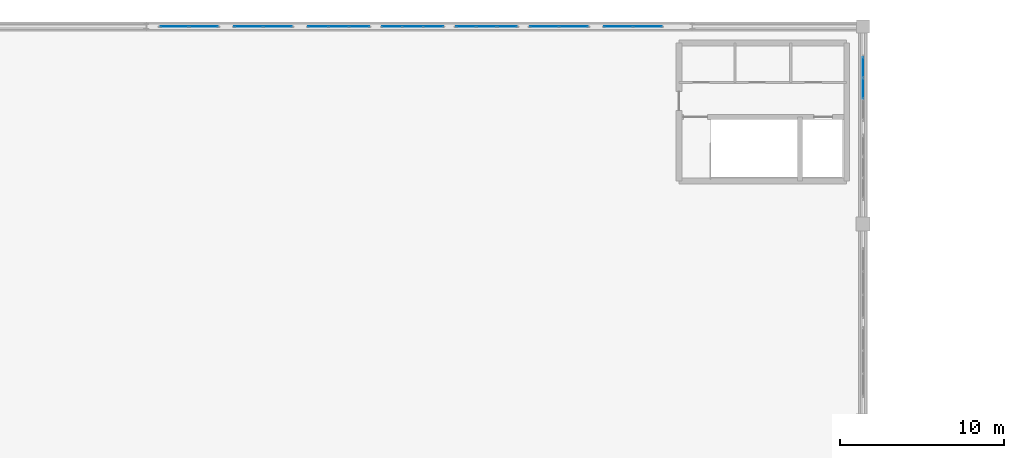
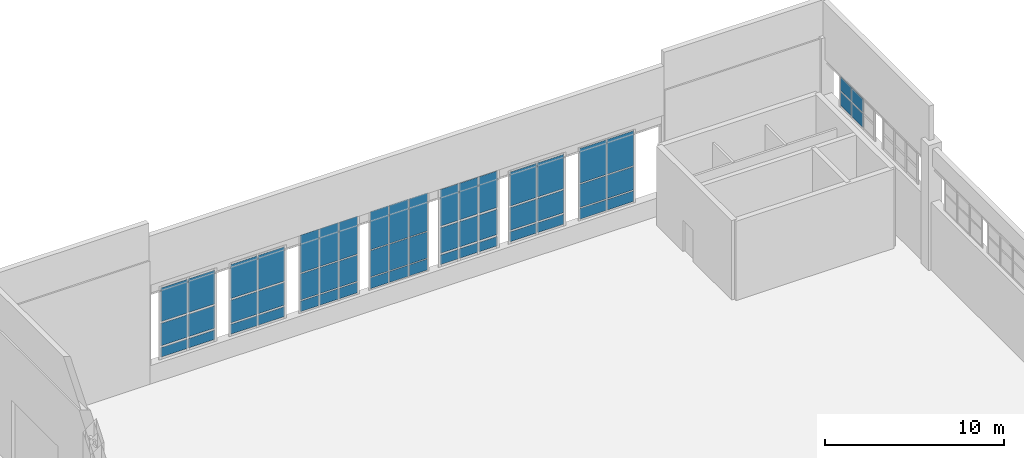
# One storey, part 76 of 97: 55 plates, 8 elements without a shape of their own.
"""IFC4 building model written with IfcOpenShell, lengths in metres."""

import ifcopenshell
import ifcopenshell.guid

model = None  # the IFC model being written
_history = None  # IfcOwnerHistory: only IFC2X3 demands one
_inside = {}  # id of a spatial element -> (the spatial element, [elements in it])
_under = {}  # id of a project, library or spatial element -> (it, [spatial elements below it])
_declared = {}  # id of a project -> (the project, [libraries it declares])
_typed = {}  # id of a type object -> (the type object, [elements of that type])
_made_of = {}  # id of a material, layer set ... -> (it, [elements and type objects made of it])


def new_model(schema):
    """Start an empty IFC model of exactly this schema.

    Asked for "IFC4X3", IfcOpenShell would pick the latest addendum, in which some entities
    have other attributes; the version numbers below select the first issue.
    IFC2X3 requires an IfcOwnerHistory on every rooted entity: one is made here for all.
    """
    global model, _history
    if schema == "IFC4X3":
        model = ifcopenshell.file(schema_version=(4, 3, 0, 0))
    else:
        model = ifcopenshell.file(schema=schema)
    _inside.clear()
    _under.clear()
    _declared.clear()
    _typed.clear()
    _made_of.clear()
    _history = None
    if model.schema == "IFC2X3":
        org = make("IfcOrganization", Name="unknown")
        user = make(
            "IfcPersonAndOrganization",
            ThePerson=make("IfcPerson", FamilyName="unknown"),
            TheOrganization=org,
        )
        app = make(
            "IfcApplication",
            ApplicationDeveloper=org,
            Version="unknown",
            ApplicationFullName="unknown",
            ApplicationIdentifier="unknown",
        )
        _history = make(
            "IfcOwnerHistory",
            OwningUser=user,
            OwningApplication=app,
            ChangeAction="ADDED",
            CreationDate=0,
        )
    return model


def make(cls, **values):
    """One entity of the class cls with the attributes given. An attribute that is None is left unset."""
    return model.create_entity(
        cls, **{name: value for name, value in values.items() if value is not None}
    )


def rooted(cls, **values):
    """An entity with a GlobalId (a new one), such as an element, a storey or a relation."""
    return make(cls, GlobalId=ifcopenshell.guid.new(), OwnerHistory=_history, **values)


def si_unit(unit_type, name, prefix=None):
    """IfcSIUnit, for example si_unit("LENGTHUNIT", "METRE", prefix="MILLI")."""
    return make("IfcSIUnit", UnitType=unit_type, Prefix=prefix, Name=name)


def derived_unit(unit_type, elements):
    """IfcDerivedUnit: a product of units, each with its exponent."""
    return make(
        "IfcDerivedUnit",
        Elements=[
            make("IfcDerivedUnitElement", Unit=unit, Exponent=power)
            for unit, power in elements
        ],
        UnitType=unit_type,
    )


def assignment(units):
    """IfcUnitAssignment: the units of a project."""
    return None if units is None else make("IfcUnitAssignment", Units=units)


def point(xyz):
    """IfcCartesianPoint."""
    return None if xyz is None else make("IfcCartesianPoint", Coordinates=xyz)


def direction(xyz):
    """IfcDirection."""
    return None if xyz is None else make("IfcDirection", DirectionRatios=xyz)


def frame(location, z_axis=None, x_axis=None):
    """IfcAxis2Placement3D, a coordinate frame: its origin and axes. An axis left out is left unset."""
    return make(
        "IfcAxis2Placement3D",
        Location=point(location),
        Axis=direction(z_axis),
        RefDirection=direction(x_axis),
    )


def frame_2d(location, x_axis=None):
    """IfcAxis2Placement2D, a coordinate frame in the plane: its origin and x axis."""
    return make(
        "IfcAxis2Placement2D", Location=point(location), RefDirection=direction(x_axis)
    )


def origin():
    """The frame at (0, 0, 0) with its axes left unset."""
    return frame((0.0, 0.0, 0.0))


def origin_2d():
    """The frame at (0, 0) in the plane with its x axis left unset."""
    return frame_2d((0.0, 0.0))


def place(relative_to, where):
    """IfcLocalPlacement: puts the frame where relative to a parent placement (None: the world)."""
    return make(
        "IfcLocalPlacement", PlacementRelTo=relative_to, RelativePlacement=where
    )


def context(
    kind, dimensions, precision=None, world=None, true_north=None, identifier=None
):
    """IfcGeometricRepresentationContext, for example the 3D "Model" context."""
    return make(
        "IfcGeometricRepresentationContext",
        ContextIdentifier=identifier,
        ContextType=kind,
        CoordinateSpaceDimension=dimensions,
        Precision=precision,
        WorldCoordinateSystem=world,
        TrueNorth=true_north,
    )


def subcontext(parent, identifier, kind, view, scale=None):
    """IfcGeometricRepresentationSubContext, for example "Body" below "Model"."""
    return make(
        "IfcGeometricRepresentationSubContext",
        ContextIdentifier=identifier,
        ContextType=kind,
        ParentContext=parent,
        TargetScale=scale,
        TargetView=view,
    )


def project(units=None, contexts=None):
    """IfcProject with its units and contexts."""
    return rooted(
        "IfcProject",
        Name="project",
        RepresentationContexts=contexts,
        UnitsInContext=assignment(units),
    )


def spatial(cls, under=None, at=None, **own):
    """A site, building, storey or space (cls), placed at a placement, below another one or the project."""
    s = rooted(cls, ObjectPlacement=at, **own)
    if under is not None:
        _under.setdefault(under.id(), (under, []))[1].append(s)
    return s


def profile(cls, at=None, kind="AREA", **sizes):
    """A parametric profile (cls). Its sizes go by their IFC names, for example OverallWidth=200.0."""
    return make(cls, ProfileType=kind, Position=at, **sizes)


def rectangle(**sizes):
    """IfcRectangleProfileDef."""
    return profile("IfcRectangleProfileDef", **sizes)


def extrude(swept, where, along, depth):
    """IfcExtrudedAreaSolid: the profile swept, set in the frame where, extruded along a direction by depth."""
    return make(
        "IfcExtrudedAreaSolid",
        SweptArea=swept,
        Position=where,
        ExtrudedDirection=direction(along),
        Depth=depth,
    )


def shape(context_of_items, identifier, shape_type, items):
    """IfcShapeRepresentation: the items that make up one representation, for example the "Body"."""
    return make(
        "IfcShapeRepresentation",
        ContextOfItems=context_of_items,
        RepresentationIdentifier=identifier,
        RepresentationType=shape_type,
        Items=items,
    )


def material(Name=None, Category=None):
    """IfcMaterial."""
    return make("IfcMaterial", Name=Name, Category=Category)


def layer(
    of_material, thickness, ventilated=None, Name=None, Category=None, Priority=None
):
    """IfcMaterialLayer: one layer of a wall or slab, of a material (None: an air gap)."""
    return make(
        "IfcMaterialLayer",
        Material=of_material,
        LayerThickness=thickness,
        IsVentilated=ventilated,
        Name=Name,
        Category=Category,
        Priority=Priority,
    )


def layer_set(layers, Name=None):
    """IfcMaterialLayerSet."""
    return make("IfcMaterialLayerSet", MaterialLayers=layers, LayerSetName=Name)


def made_of(thing, what):
    """Note that an element or type object is made of a material, layer set ...; save() writes the relation."""
    if what is not None:
        _made_of.setdefault(what.id(), (what, []))[1].append(thing)
    return thing


def type_object(cls, material=None, **own):
    """A type object (cls), such as IfcWallType, which elements share."""
    return made_of(rooted(cls, **own), material)


def element(
    cls,
    number,
    at=None,
    inside=None,
    cuts=None,
    type_object=None,
    material=None,
    context=None,
    identifier="Body",
    shape_type=None,
    held_by="IfcProductDefinitionShape",
    body=None,
    shapes=None,
    **own,
):
    """One element of the class cls, such as IfcWall. Its Tag is "e" and its number.

    at: its placement. inside: the storey or other place that contains it. cuts: it is an
    opening in that element (IfcRelVoidsElement). A single representation is given by context,
    identifier, shape_type and body (its items); several are given by shapes. held_by: the class
    of the entity that holds the representations. save() writes the other relations.
    """
    e = rooted(cls, Tag="e%d" % number, ObjectPlacement=at, **own)
    if body is not None:
        shapes = [shape(context, identifier, shape_type, body)]
    if shapes is not None:
        e.Representation = make(held_by, Representations=shapes)
    if inside is not None:
        _inside.setdefault(inside.id(), (inside, []))[1].append(e)
    if cuts is not None:
        rooted(
            "IfcRelVoidsElement", RelatingBuildingElement=cuts, RelatedOpeningElement=e
        )
    if type_object is not None:
        _typed.setdefault(type_object.id(), (type_object, []))[1].append(e)
    return made_of(e, material)


def aggregate(whole, parts):
    """IfcRelAggregates: a whole, such as a stair, and the parts it consists of."""
    return rooted("IfcRelAggregates", RelatingObject=whole, RelatedObjects=parts)


def save(model, path):
    """Write the relations noted so far, then the file.

    IfcRelAggregates (storeys below a building ...), IfcRelContainedInSpatialStructure (elements
    in a storey), IfcRelDefinesByType, IfcRelAssociatesMaterial and IfcRelDeclares: one each for
    every whole, place, type object, material and project.
    """
    for whole, parts in _under.values():
        aggregate(whole, parts)
    for where, things in _inside.values():
        rooted(
            "IfcRelContainedInSpatialStructure",
            RelatedElements=things,
            RelatingStructure=where,
        )
    for kind, things in _typed.values():
        rooted("IfcRelDefinesByType", RelatedObjects=things, RelatingType=kind)
    for what, things in _made_of.values():
        rooted("IfcRelAssociatesMaterial", RelatedObjects=things, RelatingMaterial=what)
    for by, libraries in _declared.values():
        rooted("IfcRelDeclares", RelatingContext=by, RelatedDefinitions=libraries)
    model.write(path)


model = new_model("IFC4")

# Units and contexts
model_context = context("Model", 3, precision=1e-05, world=origin(), true_north=direction((0.0, 1.0)))
body_context = subcontext(model_context, "Body", "Model", "MODEL_VIEW")
ifc_project = project(units=[si_unit("LENGTHUNIT", "METRE"), si_unit("AREAUNIT", "SQUARE_METRE"), si_unit("VOLUMEUNIT", "CUBIC_METRE"), si_unit("PLANEANGLEUNIT", "RADIAN"), si_unit("MASSUNIT", "GRAM", prefix="KILO"), derived_unit("THERMALTRANSMITTANCEUNIT", [(si_unit("POWERUNIT", "WATT"), 1), (si_unit("LENGTHUNIT", "METRE"), -2), (si_unit("THERMODYNAMICTEMPERATUREUNIT", "KELVIN"), -1)])], contexts=[model_context])

# Site, building, storey
site_placement = place(None, origin())
site = spatial("IfcSite", under=ifc_project, at=site_placement, CompositionType="ELEMENT")
building_placement = place(site_placement, origin())
building = spatial("IfcBuilding", under=site, at=building_placement, Name="Almenara Railside Exhibition Hall", CompositionType="ELEMENT")
storey_placement = place(building_placement, frame((0.0, 0.0, 10.800048828125)))
storey = spatial("IfcBuildingStorey", under=building, at=storey_placement, Name="L02", CompositionType="ELEMENT", Elevation=10.800048828125)

# Curtain wall, plates
ifc_material_1 = material(Name="Bronze-anodised aluminium and low-E double glazing", Category="aluminium")
ifc_layer_1 = layer(ifc_material_1, 0.179931640625, Name="Bronze-anodised aluminium and low-E double glazing")
ifc_layer_set_1 = layer_set([ifc_layer_1], Name="Bronze-anodised aluminium and low-E double glazing")
curtain_wall_type_1 = type_object("IfcCurtainWallType", Name="Scroll Gable Standard Curtain Wall 3600x5000", PredefinedType="NOTDEFINED", material=ifc_layer_set_1)
curtain_wall_1_placement = place(storey_placement, origin())
curtain_wall_1 = element("IfcCurtainWall", 1, at=curtain_wall_1_placement, inside=storey, type_object=curtain_wall_type_1, Name="Curtain wall CW-G2-045", PredefinedType="NOTDEFINED")
ifc_material_2 = material(Name="Solar-control acoustic laminated glazing", Category="glass")
ifc_layer_2 = layer(ifc_material_2, 0.031982421875, Name="Solar-control acoustic laminated glazing")
ifc_layer_set_2 = layer_set([ifc_layer_2], Name="Solar-control acoustic laminated glazing")
plate_type_1 = type_object("IfcPlateType", Name="Acoustic Low-E Double Glazing Panel 32mm", PredefinedType="CURTAIN_PANEL", material=ifc_layer_set_2)
plate_1_placement = place(storey_placement, frame((28.6162109375, 132.0, 1.3740234375), z_axis=(0.0, 0.0, 1.0), x_axis=(1.0, 0.0, 0.0)))
plate_1 = element("IfcPlate", 2, at=plate_1_placement, type_object=plate_type_1, Name="CW-G2-045 panel 1.1", PredefinedType="CURTAIN_PANEL", context=body_context, shape_type="SweptSolid", body=[
    extrude(rectangle(XDim=1.718505859375, YDim=0.031982421875, at=origin_2d()), origin(), (0.0, 0.0, 1.0), 0.672119140625),
])
plate_2_placement = place(storey_placement, frame((28.6162109375, 132.0, 2.154052734375), z_axis=(0.0, 0.0, 1.0), x_axis=(1.0, 0.0, 0.0)))
plate_2 = element("IfcPlate", 3, at=plate_2_placement, type_object=plate_type_1, Name="CW-G2-045 panel 1.2", PredefinedType="CURTAIN_PANEL", context=body_context, shape_type="SweptSolid", body=[
    extrude(rectangle(XDim=1.718505859375, YDim=0.031982421875, at=origin_2d()), origin(), (0.0, 0.0, 1.0), 1.5419921875),
])
plate_3_placement = place(storey_placement, frame((28.6162109375, 132.0, 3.8037109375), z_axis=(0.0, 0.0, 1.0), x_axis=(1.0, 0.0, 0.0)))
plate_3 = element("IfcPlate", 4, at=plate_3_placement, type_object=plate_type_1, Name="CW-G2-045 panel 1.3", PredefinedType="CURTAIN_PANEL", context=body_context, shape_type="SweptSolid", body=[
    extrude(rectangle(XDim=1.718505859375, YDim=0.031982421875, at=origin_2d()), origin(), (0.0, 0.0, 1.0), 2.322021484375),
])
plate_4_placement = place(storey_placement, frame((30.3837890625, 132.0, 1.3740234375), z_axis=(0.0, 0.0, 1.0), x_axis=(1.0, 0.0, 0.0)))
plate_4 = element("IfcPlate", 5, at=plate_4_placement, type_object=plate_type_1, Name="CW-G2-045 panel 2.1", PredefinedType="CURTAIN_PANEL", context=body_context, shape_type="SweptSolid", body=[
    extrude(rectangle(XDim=1.718505859375, YDim=0.031982421875, at=origin_2d()), origin(), (0.0, 0.0, 1.0), 0.672119140625),
])
plate_5_placement = place(storey_placement, frame((30.3837890625, 132.0, 2.154052734375), z_axis=(0.0, 0.0, 1.0), x_axis=(1.0, 0.0, 0.0)))
plate_5 = element("IfcPlate", 6, at=plate_5_placement, type_object=plate_type_1, Name="CW-G2-045 panel 2.2", PredefinedType="CURTAIN_PANEL", context=body_context, shape_type="SweptSolid", body=[
    extrude(rectangle(XDim=1.718505859375, YDim=0.031982421875, at=origin_2d()), origin(), (0.0, 0.0, 1.0), 1.5419921875),
])
plate_6_placement = place(storey_placement, frame((30.3837890625, 132.0, 3.8037109375), z_axis=(0.0, 0.0, 1.0), x_axis=(1.0, 0.0, 0.0)))
plate_6 = element("IfcPlate", 7, at=plate_6_placement, type_object=plate_type_1, Name="CW-G2-045 panel 2.3", PredefinedType="CURTAIN_PANEL", context=body_context, shape_type="SweptSolid", body=[
    extrude(rectangle(XDim=1.718505859375, YDim=0.031982421875, at=origin_2d()), origin(), (0.0, 0.0, 1.0), 2.322021484375),
])
aggregate(curtain_wall_1, [plate_1, plate_2, plate_3, plate_4, plate_5, plate_6])

curtain_wall_2_placement = place(storey_placement, origin())
curtain_wall_2 = element("IfcCurtainWall", 8, at=curtain_wall_2_placement, inside=storey, type_object=curtain_wall_type_1, Name="Curtain wall CW-G2-050", PredefinedType="NOTDEFINED")
plate_7_placement = place(storey_placement, frame((51.114990234375, 132.0, 1.34375), z_axis=(0.0, 0.0, 1.0), x_axis=(1.0, 0.0, 0.0)))
plate_7 = element("IfcPlate", 9, at=plate_7_placement, type_object=plate_type_1, Name="CW-G2-050 panel 1.1", PredefinedType="CURTAIN_PANEL", context=body_context, shape_type="SweptSolid", body=[
    extrude(rectangle(XDim=1.72607421875, YDim=0.031982421875, at=origin_2d()), origin(), (0.0, 0.0, 1.0), 0.717041015625),
])
plate_8_placement = place(storey_placement, frame((51.114990234375, 132.0, 2.13916015625), z_axis=(0.0, 0.0, 1.0), x_axis=(1.0, 0.0, 0.0)))
plate_8 = element("IfcPlate", 10, at=plate_8_placement, type_object=plate_type_1, Name="CW-G2-050 panel 1.2", PredefinedType="CURTAIN_PANEL", context=body_context, shape_type="SweptSolid", body=[
    extrude(rectangle(XDim=1.72607421875, YDim=0.031982421875, at=origin_2d()), origin(), (0.0, 0.0, 1.0), 1.572021484375),
])
plate_9_placement = place(storey_placement, frame((51.114990234375, 132.0, 3.7890625), z_axis=(0.0, 0.0, 1.0), x_axis=(1.0, 0.0, 0.0)))
plate_9 = element("IfcPlate", 11, at=plate_9_placement, type_object=plate_type_1, Name="CW-G2-050 panel 1.3", PredefinedType="CURTAIN_PANEL", context=body_context, shape_type="SweptSolid", body=[
    extrude(rectangle(XDim=1.72607421875, YDim=0.031982421875, at=origin_2d()), origin(), (0.0, 0.0, 1.0), 2.366943359375),
])
plate_10_placement = place(storey_placement, frame((52.885009765625, 132.0, 1.34375), z_axis=(0.0, 0.0, 1.0), x_axis=(1.0, 0.0, 0.0)))
plate_10 = element("IfcPlate", 12, at=plate_10_placement, type_object=plate_type_1, Name="CW-G2-050 panel 2.1", PredefinedType="CURTAIN_PANEL", context=body_context, shape_type="SweptSolid", body=[
    extrude(rectangle(XDim=1.72607421875, YDim=0.031982421875, at=origin_2d()), origin(), (0.0, 0.0, 1.0), 0.717041015625),
])
plate_11_placement = place(storey_placement, frame((52.885009765625, 132.0, 2.13916015625), z_axis=(0.0, 0.0, 1.0), x_axis=(1.0, 0.0, 0.0)))
plate_11 = element("IfcPlate", 13, at=plate_11_placement, type_object=plate_type_1, Name="CW-G2-050 panel 2.2", PredefinedType="CURTAIN_PANEL", context=body_context, shape_type="SweptSolid", body=[
    extrude(rectangle(XDim=1.72607421875, YDim=0.031982421875, at=origin_2d()), origin(), (0.0, 0.0, 1.0), 1.572021484375),
])
plate_12_placement = place(storey_placement, frame((52.885009765625, 132.0, 3.7890625), z_axis=(0.0, 0.0, 1.0), x_axis=(1.0, 0.0, 0.0)))
plate_12 = element("IfcPlate", 14, at=plate_12_placement, type_object=plate_type_1, Name="CW-G2-050 panel 2.3", PredefinedType="CURTAIN_PANEL", context=body_context, shape_type="SweptSolid", body=[
    extrude(rectangle(XDim=1.72607421875, YDim=0.031982421875, at=origin_2d()), origin(), (0.0, 0.0, 1.0), 2.366943359375),
])
aggregate(curtain_wall_2, [plate_7, plate_8, plate_9, plate_10, plate_11, plate_12])

ifc_layer_3 = layer(ifc_material_1, 0.179931640625, Name="Bronze-anodised aluminium and low-E double glazing")
ifc_layer_set_3 = layer_set([ifc_layer_3], Name="Bronze-anodised aluminium and low-E double glazing")
curtain_wall_type_2 = type_object("IfcCurtainWallType", Name="Scroll Gable Tall Curtain Wall 3800x5400", PredefinedType="NOTDEFINED", material=ifc_layer_set_3)
curtain_wall_3_placement = place(storey_placement, origin())
curtain_wall_3 = element("IfcCurtainWall", 15, at=curtain_wall_3_placement, inside=storey, type_object=curtain_wall_type_2, Name="Curtain wall CW-G1-047", PredefinedType="NOTDEFINED")
ifc_material_3 = material(Name="Clear low-E laminated double glazing", Category="glass")
ifc_layer_4 = layer(ifc_material_3, 0.02392578125, Name="Clear low-E laminated double glazing")
ifc_layer_set_4 = layer_set([ifc_layer_4], Name="Clear low-E laminated double glazing")
plate_type_2 = type_object("IfcPlateType", Name="Courtyard Clear Double Glazing Panel 24mm", PredefinedType="CURTAIN_PANEL", material=ifc_layer_set_4)
plate_13_placement = place(storey_placement, frame((37.34716796875, 132.0, 1.323974609375), z_axis=(0.0, 0.0, 1.0), x_axis=(1.0, 0.0, 0.0)))
plate_13 = element("IfcPlate", 16, at=plate_13_placement, type_object=plate_type_2, Name="CW-G1-047 panel 1.1", PredefinedType="CURTAIN_PANEL", context=body_context, shape_type="SweptSolid", body=[
    extrude(rectangle(XDim=1.2001953125, YDim=0.02392578125, at=origin_2d()), origin(), (0.0, 0.0, 1.0), 0.7470703125),
])
plate_14_placement = place(storey_placement, frame((37.34716796875, 132.0, 2.12890625), z_axis=(0.0, 0.0, 1.0), x_axis=(1.0, 0.0, 0.0)))
plate_14 = element("IfcPlate", 17, at=plate_14_placement, type_object=plate_type_2, Name="CW-G1-047 panel 1.2", PredefinedType="CURTAIN_PANEL", context=body_context, shape_type="SweptSolid", body=[
    extrude(rectangle(XDim=1.2001953125, YDim=0.02392578125, at=origin_2d()), origin(), (0.0, 0.0, 1.0), 1.7919921875),
])
plate_15_placement = place(storey_placement, frame((37.34716796875, 132.0, 3.97900390625), z_axis=(0.0, 0.0, 1.0), x_axis=(1.0, 0.0, 0.0)))
plate_15 = element("IfcPlate", 18, at=plate_15_placement, type_object=plate_type_2, Name="CW-G1-047 panel 1.3", PredefinedType="CURTAIN_PANEL", context=body_context, shape_type="SweptSolid", body=[
    extrude(rectangle(XDim=1.2001953125, YDim=0.02392578125, at=origin_2d()), origin(), (0.0, 0.0, 1.0), 2.596923828125),
])
plate_16_placement = place(storey_placement, frame((38.60009765625, 132.0, 1.323974609375), z_axis=(0.0, 0.0, 1.0), x_axis=(1.0, 0.0, 0.0)))
plate_16 = element("IfcPlate", 19, at=plate_16_placement, type_object=plate_type_2, Name="CW-G1-047 panel 2.1", PredefinedType="CURTAIN_PANEL", context=body_context, shape_type="SweptSolid", body=[
    extrude(rectangle(XDim=1.227783203125, YDim=0.02392578125, at=origin_2d()), origin(), (0.0, 0.0, 1.0), 0.7470703125),
])
plate_17_placement = place(storey_placement, frame((38.60009765625, 132.0, 2.12890625), z_axis=(0.0, 0.0, 1.0), x_axis=(1.0, 0.0, 0.0)))
plate_17 = element("IfcPlate", 20, at=plate_17_placement, type_object=plate_type_2, Name="CW-G1-047 panel 2.2", PredefinedType="CURTAIN_PANEL", context=body_context, shape_type="SweptSolid", body=[
    extrude(rectangle(XDim=1.227783203125, YDim=0.02392578125, at=origin_2d()), origin(), (0.0, 0.0, 1.0), 1.7919921875),
])
plate_18_placement = place(storey_placement, frame((38.60009765625, 132.0, 3.97900390625), z_axis=(0.0, 0.0, 1.0), x_axis=(1.0, 0.0, 0.0)))
plate_18 = element("IfcPlate", 21, at=plate_18_placement, type_object=plate_type_2, Name="CW-G1-047 panel 2.3", PredefinedType="CURTAIN_PANEL", context=body_context, shape_type="SweptSolid", body=[
    extrude(rectangle(XDim=1.227783203125, YDim=0.02392578125, at=origin_2d()), origin(), (0.0, 0.0, 1.0), 2.596923828125),
])
plate_19_placement = place(storey_placement, frame((39.85302734375, 132.0, 1.323974609375), z_axis=(0.0, 0.0, 1.0), x_axis=(1.0, 0.0, 0.0)))
plate_19 = element("IfcPlate", 22, at=plate_19_placement, type_object=plate_type_2, Name="CW-G1-047 panel 3.1", PredefinedType="CURTAIN_PANEL", context=body_context, shape_type="SweptSolid", body=[
    extrude(rectangle(XDim=1.2001953125, YDim=0.02392578125, at=origin_2d()), origin(), (0.0, 0.0, 1.0), 0.7470703125),
])
plate_20_placement = place(storey_placement, frame((39.85302734375, 132.0, 2.12890625), z_axis=(0.0, 0.0, 1.0), x_axis=(1.0, 0.0, 0.0)))
plate_20 = element("IfcPlate", 23, at=plate_20_placement, type_object=plate_type_2, Name="CW-G1-047 panel 3.2", PredefinedType="CURTAIN_PANEL", context=body_context, shape_type="SweptSolid", body=[
    extrude(rectangle(XDim=1.2001953125, YDim=0.02392578125, at=origin_2d()), origin(), (0.0, 0.0, 1.0), 1.7919921875),
])
plate_21_placement = place(storey_placement, frame((39.85302734375, 132.0, 3.97900390625), z_axis=(0.0, 0.0, 1.0), x_axis=(1.0, 0.0, 0.0)))
plate_21 = element("IfcPlate", 24, at=plate_21_placement, type_object=plate_type_2, Name="CW-G1-047 panel 3.3", PredefinedType="CURTAIN_PANEL", context=body_context, shape_type="SweptSolid", body=[
    extrude(rectangle(XDim=1.2001953125, YDim=0.02392578125, at=origin_2d()), origin(), (0.0, 0.0, 1.0), 2.596923828125),
])
aggregate(curtain_wall_3, [plate_13, plate_14, plate_15, plate_16, plate_17, plate_18, plate_19, plate_20, plate_21])

curtain_wall_4_placement = place(storey_placement, origin())
curtain_wall_4 = element("IfcCurtainWall", 25, at=curtain_wall_4_placement, inside=storey, type_object=curtain_wall_type_2, Name="Curtain wall CW-G1-048", PredefinedType="NOTDEFINED")
ifc_material_4 = material(Name="Bronze-anodised insulated aluminium spandrel", Category="aluminium")
ifc_layer_5 = layer(ifc_material_4, 0.0400390625, Name="Bronze-anodised insulated aluminium spandrel")
ifc_layer_set_5 = layer_set([ifc_layer_5], Name="Bronze-anodised insulated aluminium spandrel")
plate_type_3 = type_object("IfcPlateType", Name="Insulated Bronze Spandrel Panel 40mm", PredefinedType="CURTAIN_PANEL", material=ifc_layer_set_5)
plate_22_placement = place(storey_placement, frame((41.850830078125, 132.0, 1.393798828125), z_axis=(0.0, 0.0, 1.0), x_axis=(1.0, 0.0, 0.0)))
plate_22 = element("IfcPlate", 26, at=plate_22_placement, type_object=plate_type_3, Name="CW-G1-048 panel 1.1", PredefinedType="CURTAIN_PANEL", context=body_context, shape_type="SweptSolid", body=[
    extrude(rectangle(XDim=1.177734375, YDim=0.0400390625, at=origin_2d()), origin(), (0.0, 0.0, 1.0), 0.64208984375),
])
plate_23_placement = place(storey_placement, frame((41.850830078125, 132.0, 2.1640625), z_axis=(0.0, 0.0, 1.0), x_axis=(1.0, 0.0, 0.0)))
plate_23 = element("IfcPlate", 27, at=plate_23_placement, type_object=plate_type_3, Name="CW-G1-048 panel 1.2", PredefinedType="CURTAIN_PANEL", context=body_context, shape_type="SweptSolid", body=[
    extrude(rectangle(XDim=1.177734375, YDim=0.0400390625, at=origin_2d()), origin(), (0.0, 0.0, 1.0), 1.721923828125),
])
plate_24_placement = place(storey_placement, frame((41.850830078125, 132.0, 4.01416015625), z_axis=(0.0, 0.0, 1.0), x_axis=(1.0, 0.0, 0.0)))
plate_24 = element("IfcPlate", 28, at=plate_24_placement, type_object=plate_type_3, Name="CW-G1-048 panel 1.3", PredefinedType="CURTAIN_PANEL", context=body_context, shape_type="SweptSolid", body=[
    extrude(rectangle(XDim=1.177734375, YDim=0.0400390625, at=origin_2d()), origin(), (0.0, 0.0, 1.0), 2.491943359375),
])
plate_25_placement = place(storey_placement, frame((43.10009765625, 132.0, 1.393798828125), z_axis=(0.0, 0.0, 1.0), x_axis=(1.0, 0.0, 0.0)))
plate_25 = element("IfcPlate", 29, at=plate_25_placement, type_object=plate_type_3, Name="CW-G1-048 panel 2.1", PredefinedType="CURTAIN_PANEL", context=body_context, shape_type="SweptSolid", body=[
    extrude(rectangle(XDim=1.212646484375, YDim=0.0400390625, at=origin_2d()), origin(), (0.0, 0.0, 1.0), 0.64208984375),
])
plate_26_placement = place(storey_placement, frame((43.10009765625, 132.0, 2.1640625), z_axis=(0.0, 0.0, 1.0), x_axis=(1.0, 0.0, 0.0)))
plate_26 = element("IfcPlate", 30, at=plate_26_placement, type_object=plate_type_3, Name="CW-G1-048 panel 2.2", PredefinedType="CURTAIN_PANEL", context=body_context, shape_type="SweptSolid", body=[
    extrude(rectangle(XDim=1.212646484375, YDim=0.0400390625, at=origin_2d()), origin(), (0.0, 0.0, 1.0), 1.721923828125),
])
plate_27_placement = place(storey_placement, frame((43.10009765625, 132.0, 4.01416015625), z_axis=(0.0, 0.0, 1.0), x_axis=(1.0, 0.0, 0.0)))
plate_27 = element("IfcPlate", 31, at=plate_27_placement, type_object=plate_type_3, Name="CW-G1-048 panel 2.3", PredefinedType="CURTAIN_PANEL", context=body_context, shape_type="SweptSolid", body=[
    extrude(rectangle(XDim=1.212646484375, YDim=0.0400390625, at=origin_2d()), origin(), (0.0, 0.0, 1.0), 2.491943359375),
])
plate_28_placement = place(storey_placement, frame((44.34912109375, 132.0, 1.393798828125), z_axis=(0.0, 0.0, 1.0), x_axis=(1.0, 0.0, 0.0)))
plate_28 = element("IfcPlate", 32, at=plate_28_placement, type_object=plate_type_3, Name="CW-G1-048 panel 3.1", PredefinedType="CURTAIN_PANEL", context=body_context, shape_type="SweptSolid", body=[
    extrude(rectangle(XDim=1.177734375, YDim=0.0400390625, at=origin_2d()), origin(), (0.0, 0.0, 1.0), 0.64208984375),
])
plate_29_placement = place(storey_placement, frame((44.34912109375, 132.0, 2.1640625), z_axis=(0.0, 0.0, 1.0), x_axis=(1.0, 0.0, 0.0)))
plate_29 = element("IfcPlate", 33, at=plate_29_placement, type_object=plate_type_3, Name="CW-G1-048 panel 3.2", PredefinedType="CURTAIN_PANEL", context=body_context, shape_type="SweptSolid", body=[
    extrude(rectangle(XDim=1.177734375, YDim=0.0400390625, at=origin_2d()), origin(), (0.0, 0.0, 1.0), 1.721923828125),
])
plate_30_placement = place(storey_placement, frame((44.34912109375, 132.0, 4.01416015625), z_axis=(0.0, 0.0, 1.0), x_axis=(1.0, 0.0, 0.0)))
plate_30 = element("IfcPlate", 34, at=plate_30_placement, type_object=plate_type_3, Name="CW-G1-048 panel 3.3", PredefinedType="CURTAIN_PANEL", context=body_context, shape_type="SweptSolid", body=[
    extrude(rectangle(XDim=1.177734375, YDim=0.0400390625, at=origin_2d()), origin(), (0.0, 0.0, 1.0), 2.491943359375),
])
aggregate(curtain_wall_4, [plate_22, plate_23, plate_24, plate_25, plate_26, plate_27, plate_28, plate_29, plate_30])

ifc_layer_6 = layer(ifc_material_1, 0.179931640625, Name="Bronze-anodised aluminium and low-E double glazing")
ifc_layer_set_6 = layer_set([ifc_layer_6], Name="Bronze-anodised aluminium and low-E double glazing")
curtain_wall_type_3 = type_object("IfcCurtainWallType", Name="West Hall Clerestory Curtain Wall 3900x2200", PredefinedType="NOTDEFINED", material=ifc_layer_set_6)
curtain_wall_5_placement = place(storey_placement, origin())
curtain_wall_5 = element("IfcCurtainWall", 35, at=curtain_wall_5_placement, inside=storey, type_object=curtain_wall_type_3, Name="Curtain wall CW-CL2-024", PredefinedType="NOTDEFINED")
ifc_layer_7 = layer(ifc_material_4, 0.034912109375, Name="Bronze-anodised insulated aluminium spandrel")
ifc_layer_set_7 = layer_set([ifc_layer_7], Name="Bronze-anodised insulated aluminium spandrel")
plate_type_4 = type_object("IfcPlateType", Name="Insulated Stucco-Tone Spandrel Panel 35mm", PredefinedType="CURTAIN_PANEL", material=ifc_layer_set_7)
plate_31_placement = place(storey_placement, frame((66.0, 128.25, 4.72412109375), z_axis=(0.0, 0.0, 1.0), x_axis=(0.0, 1.0, 0.0)))
plate_31 = element("IfcPlate", 36, at=plate_31_placement, type_object=plate_type_4, Name="CW-CL2-024 panel 2.1", PredefinedType="CURTAIN_PANEL", context=body_context, shape_type="SweptSolid", body=[
    extrude(rectangle(XDim=1.2509765625, YDim=0.034912109375, at=origin_2d()), origin(), (0.0, 0.0, 1.0), 0.922119140625),
])
plate_32_placement = place(storey_placement, frame((66.0, 128.25, 5.75390625), z_axis=(0.0, 0.0, 1.0), x_axis=(0.0, 1.0, 0.0)))
plate_32 = element("IfcPlate", 37, at=plate_32_placement, type_object=plate_type_4, Name="CW-CL2-024 panel 2.2", PredefinedType="CURTAIN_PANEL", context=body_context, shape_type="SweptSolid", body=[
    extrude(rectangle(XDim=1.2509765625, YDim=0.034912109375, at=origin_2d()), origin(), (0.0, 0.0, 1.0), 0.922119140625),
])
plate_33_placement = place(storey_placement, frame((66.0, 129.53369140625, 4.72412109375), z_axis=(0.0, 0.0, 1.0), x_axis=(0.0, 1.0, 0.0)))
plate_33 = element("IfcPlate", 38, at=plate_33_placement, type_object=plate_type_4, Name="CW-CL2-024 panel 3.1", PredefinedType="CURTAIN_PANEL", context=body_context, shape_type="SweptSolid", body=[
    extrude(rectangle(XDim=1.218505859375, YDim=0.034912109375, at=origin_2d()), origin(), (0.0, 0.0, 1.0), 0.922119140625),
])
plate_34_placement = place(storey_placement, frame((66.0, 129.53369140625, 5.75390625), z_axis=(0.0, 0.0, 1.0), x_axis=(0.0, 1.0, 0.0)))
plate_34 = element("IfcPlate", 39, at=plate_34_placement, type_object=plate_type_4, Name="CW-CL2-024 panel 3.2", PredefinedType="CURTAIN_PANEL", context=body_context, shape_type="SweptSolid", body=[
    extrude(rectangle(XDim=1.218505859375, YDim=0.034912109375, at=origin_2d()), origin(), (0.0, 0.0, 1.0), 0.922119140625),
])
aggregate(curtain_wall_5, [plate_31, plate_32, plate_33, plate_34])

curtain_wall_6_placement = place(storey_placement, origin())
curtain_wall_6 = element("IfcCurtainWall", 40, at=curtain_wall_6_placement, inside=storey, type_object=curtain_wall_type_1, Name="Curtain wall CW-G2-044", PredefinedType="NOTDEFINED")
plate_35_placement = place(storey_placement, frame((24.117431640625, 132.0, 1.393798828125), z_axis=(0.0, 0.0, 1.0), x_axis=(1.0, 0.0, 0.0)))
plate_35 = element("IfcPlate", 41, at=plate_35_placement, type_object=plate_type_4, Name="CW-G2-044 panel 1.1", PredefinedType="CURTAIN_PANEL", context=body_context, shape_type="SweptSolid", body=[
    extrude(rectangle(XDim=1.7109375, YDim=0.034912109375, at=origin_2d()), origin(), (0.0, 0.0, 1.0), 0.64208984375),
])
plate_36_placement = place(storey_placement, frame((24.117431640625, 132.0, 2.1640625), z_axis=(0.0, 0.0, 1.0), x_axis=(1.0, 0.0, 0.0)))
plate_36 = element("IfcPlate", 42, at=plate_36_placement, type_object=plate_type_4, Name="CW-G2-044 panel 1.2", PredefinedType="CURTAIN_PANEL", context=body_context, shape_type="SweptSolid", body=[
    extrude(rectangle(XDim=1.7109375, YDim=0.034912109375, at=origin_2d()), origin(), (0.0, 0.0, 1.0), 1.52197265625),
])
plate_37_placement = place(storey_placement, frame((24.117431640625, 132.0, 3.81396484375), z_axis=(0.0, 0.0, 1.0), x_axis=(1.0, 0.0, 0.0)))
plate_37 = element("IfcPlate", 43, at=plate_37_placement, type_object=plate_type_4, Name="CW-G2-044 panel 1.3", PredefinedType="CURTAIN_PANEL", context=body_context, shape_type="SweptSolid", body=[
    extrude(rectangle(XDim=1.7109375, YDim=0.034912109375, at=origin_2d()), origin(), (0.0, 0.0, 1.0), 2.2919921875),
])
plate_38_placement = place(storey_placement, frame((25.882568359375, 132.0, 1.393798828125), z_axis=(0.0, 0.0, 1.0), x_axis=(1.0, 0.0, 0.0)))
plate_38 = element("IfcPlate", 44, at=plate_38_placement, type_object=plate_type_4, Name="CW-G2-044 panel 2.1", PredefinedType="CURTAIN_PANEL", context=body_context, shape_type="SweptSolid", body=[
    extrude(rectangle(XDim=1.7109375, YDim=0.034912109375, at=origin_2d()), origin(), (0.0, 0.0, 1.0), 0.64208984375),
])
plate_39_placement = place(storey_placement, frame((25.882568359375, 132.0, 2.1640625), z_axis=(0.0, 0.0, 1.0), x_axis=(1.0, 0.0, 0.0)))
plate_39 = element("IfcPlate", 45, at=plate_39_placement, type_object=plate_type_4, Name="CW-G2-044 panel 2.2", PredefinedType="CURTAIN_PANEL", context=body_context, shape_type="SweptSolid", body=[
    extrude(rectangle(XDim=1.7109375, YDim=0.034912109375, at=origin_2d()), origin(), (0.0, 0.0, 1.0), 1.52197265625),
])
plate_40_placement = place(storey_placement, frame((25.882568359375, 132.0, 3.81396484375), z_axis=(0.0, 0.0, 1.0), x_axis=(1.0, 0.0, 0.0)))
plate_40 = element("IfcPlate", 46, at=plate_40_placement, type_object=plate_type_4, Name="CW-G2-044 panel 2.3", PredefinedType="CURTAIN_PANEL", context=body_context, shape_type="SweptSolid", body=[
    extrude(rectangle(XDim=1.7109375, YDim=0.034912109375, at=origin_2d()), origin(), (0.0, 0.0, 1.0), 2.2919921875),
])
aggregate(curtain_wall_6, [plate_35, plate_36, plate_37, plate_38, plate_39, plate_40])

curtain_wall_7_placement = place(storey_placement, origin())
curtain_wall_7 = element("IfcCurtainWall", 47, at=curtain_wall_7_placement, inside=storey, type_object=curtain_wall_type_1, Name="Curtain wall CW-G2-049", PredefinedType="NOTDEFINED")
plate_41_placement = place(storey_placement, frame((46.6162109375, 132.0, 1.3740234375), z_axis=(0.0, 0.0, 1.0), x_axis=(1.0, 0.0, 0.0)))
plate_41 = element("IfcPlate", 48, at=plate_41_placement, type_object=plate_type_4, Name="CW-G2-049 panel 1.1", PredefinedType="CURTAIN_PANEL", context=body_context, shape_type="SweptSolid", body=[
    extrude(rectangle(XDim=1.718505859375, YDim=0.034912109375, at=origin_2d()), origin(), (0.0, 0.0, 1.0), 0.672119140625),
])
plate_42_placement = place(storey_placement, frame((46.6162109375, 132.0, 2.154052734375), z_axis=(0.0, 0.0, 1.0), x_axis=(1.0, 0.0, 0.0)))
plate_42 = element("IfcPlate", 49, at=plate_42_placement, type_object=plate_type_4, Name="CW-G2-049 panel 1.2", PredefinedType="CURTAIN_PANEL", context=body_context, shape_type="SweptSolid", body=[
    extrude(rectangle(XDim=1.718505859375, YDim=0.034912109375, at=origin_2d()), origin(), (0.0, 0.0, 1.0), 1.5419921875),
])
plate_43_placement = place(storey_placement, frame((46.6162109375, 132.0, 3.8037109375), z_axis=(0.0, 0.0, 1.0), x_axis=(1.0, 0.0, 0.0)))
plate_43 = element("IfcPlate", 50, at=plate_43_placement, type_object=plate_type_4, Name="CW-G2-049 panel 1.3", PredefinedType="CURTAIN_PANEL", context=body_context, shape_type="SweptSolid", body=[
    extrude(rectangle(XDim=1.718505859375, YDim=0.034912109375, at=origin_2d()), origin(), (0.0, 0.0, 1.0), 2.322021484375),
])
plate_44_placement = place(storey_placement, frame((48.3837890625, 132.0, 1.3740234375), z_axis=(0.0, 0.0, 1.0), x_axis=(1.0, 0.0, 0.0)))
plate_44 = element("IfcPlate", 51, at=plate_44_placement, type_object=plate_type_4, Name="CW-G2-049 panel 2.1", PredefinedType="CURTAIN_PANEL", context=body_context, shape_type="SweptSolid", body=[
    extrude(rectangle(XDim=1.718505859375, YDim=0.034912109375, at=origin_2d()), origin(), (0.0, 0.0, 1.0), 0.672119140625),
])
plate_45_placement = place(storey_placement, frame((48.3837890625, 132.0, 2.154052734375), z_axis=(0.0, 0.0, 1.0), x_axis=(1.0, 0.0, 0.0)))
plate_45 = element("IfcPlate", 52, at=plate_45_placement, type_object=plate_type_4, Name="CW-G2-049 panel 2.2", PredefinedType="CURTAIN_PANEL", context=body_context, shape_type="SweptSolid", body=[
    extrude(rectangle(XDim=1.718505859375, YDim=0.034912109375, at=origin_2d()), origin(), (0.0, 0.0, 1.0), 1.5419921875),
])
plate_46_placement = place(storey_placement, frame((48.3837890625, 132.0, 3.8037109375), z_axis=(0.0, 0.0, 1.0), x_axis=(1.0, 0.0, 0.0)))
plate_46 = element("IfcPlate", 53, at=plate_46_placement, type_object=plate_type_4, Name="CW-G2-049 panel 2.3", PredefinedType="CURTAIN_PANEL", context=body_context, shape_type="SweptSolid", body=[
    extrude(rectangle(XDim=1.718505859375, YDim=0.034912109375, at=origin_2d()), origin(), (0.0, 0.0, 1.0), 2.322021484375),
])
aggregate(curtain_wall_7, [plate_41, plate_42, plate_43, plate_44, plate_45, plate_46])

curtain_wall_8_placement = place(storey_placement, origin())
curtain_wall_8 = element("IfcCurtainWall", 54, at=curtain_wall_8_placement, inside=storey, type_object=curtain_wall_type_2, Name="Curtain wall CW-G1-046", PredefinedType="NOTDEFINED")
ifc_material_5 = material(Name="Solar-control low-E laminated double glazing", Category="glass")
ifc_layer_8 = layer(ifc_material_5, 0.028076171875, Name="Solar-control low-E laminated double glazing")
ifc_layer_set_8 = layer_set([ifc_layer_8], Name="Solar-control low-E laminated double glazing")
plate_type_5 = type_object("IfcPlateType", Name="Low-E Solar Control Double Glazing Panel 28mm", PredefinedType="CURTAIN_PANEL", material=ifc_layer_set_8)
plate_47_placement = place(storey_placement, frame((32.848388671875, 132.0, 1.34375), z_axis=(0.0, 0.0, 1.0), x_axis=(1.0, 0.0, 0.0)))
plate_47 = element("IfcPlate", 55, at=plate_47_placement, type_object=plate_type_5, Name="CW-G1-046 panel 1.1", PredefinedType="CURTAIN_PANEL", context=body_context, shape_type="SweptSolid", body=[
    extrude(rectangle(XDim=1.192626953125, YDim=0.028076171875, at=origin_2d()), origin(), (0.0, 0.0, 1.0), 0.717041015625),
])
plate_48_placement = place(storey_placement, frame((32.848388671875, 132.0, 2.138916015625), z_axis=(0.0, 0.0, 1.0), x_axis=(1.0, 0.0, 0.0)))
plate_48 = element("IfcPlate", 56, at=plate_48_placement, type_object=plate_type_5, Name="CW-G1-046 panel 1.2", PredefinedType="CURTAIN_PANEL", context=body_context, shape_type="SweptSolid", body=[
    extrude(rectangle(XDim=1.192626953125, YDim=0.028076171875, at=origin_2d()), origin(), (0.0, 0.0, 1.0), 1.77197265625),
])
plate_49_placement = place(storey_placement, frame((32.848388671875, 132.0, 3.989013671875), z_axis=(0.0, 0.0, 1.0), x_axis=(1.0, 0.0, 0.0)))
plate_49 = element("IfcPlate", 57, at=plate_49_placement, type_object=plate_type_5, Name="CW-G1-046 panel 1.3", PredefinedType="CURTAIN_PANEL", context=body_context, shape_type="SweptSolid", body=[
    extrude(rectangle(XDim=1.192626953125, YDim=0.028076171875, at=origin_2d()), origin(), (0.0, 0.0, 1.0), 2.56689453125),
])
plate_50_placement = place(storey_placement, frame((34.10009765625, 132.0, 1.34375), z_axis=(0.0, 0.0, 1.0), x_axis=(1.0, 0.0, 0.0)))
plate_50 = element("IfcPlate", 58, at=plate_50_placement, type_object=plate_type_5, Name="CW-G1-046 panel 2.1", PredefinedType="CURTAIN_PANEL", context=body_context, shape_type="SweptSolid", body=[
    extrude(rectangle(XDim=1.22265625, YDim=0.028076171875, at=origin_2d()), origin(), (0.0, 0.0, 1.0), 0.717041015625),
])
plate_51_placement = place(storey_placement, frame((34.10009765625, 132.0, 2.138916015625), z_axis=(0.0, 0.0, 1.0), x_axis=(1.0, 0.0, 0.0)))
plate_51 = element("IfcPlate", 59, at=plate_51_placement, type_object=plate_type_5, Name="CW-G1-046 panel 2.2", PredefinedType="CURTAIN_PANEL", context=body_context, shape_type="SweptSolid", body=[
    extrude(rectangle(XDim=1.22265625, YDim=0.028076171875, at=origin_2d()), origin(), (0.0, 0.0, 1.0), 1.77197265625),
])
plate_52_placement = place(storey_placement, frame((34.10009765625, 132.0, 3.989013671875), z_axis=(0.0, 0.0, 1.0), x_axis=(1.0, 0.0, 0.0)))
plate_52 = element("IfcPlate", 60, at=plate_52_placement, type_object=plate_type_5, Name="CW-G1-046 panel 2.3", PredefinedType="CURTAIN_PANEL", context=body_context, shape_type="SweptSolid", body=[
    extrude(rectangle(XDim=1.22265625, YDim=0.028076171875, at=origin_2d()), origin(), (0.0, 0.0, 1.0), 2.56689453125),
])
plate_53_placement = place(storey_placement, frame((35.3515625, 132.0, 1.34375), z_axis=(0.0, 0.0, 1.0), x_axis=(1.0, 0.0, 0.0)))
plate_53 = element("IfcPlate", 61, at=plate_53_placement, type_object=plate_type_5, Name="CW-G1-046 panel 3.1", PredefinedType="CURTAIN_PANEL", context=body_context, shape_type="SweptSolid", body=[
    extrude(rectangle(XDim=1.192626953125, YDim=0.028076171875, at=origin_2d()), origin(), (0.0, 0.0, 1.0), 0.717041015625),
])
plate_54_placement = place(storey_placement, frame((35.3515625, 132.0, 2.138916015625), z_axis=(0.0, 0.0, 1.0), x_axis=(1.0, 0.0, 0.0)))
plate_54 = element("IfcPlate", 62, at=plate_54_placement, type_object=plate_type_5, Name="CW-G1-046 panel 3.2", PredefinedType="CURTAIN_PANEL", context=body_context, shape_type="SweptSolid", body=[
    extrude(rectangle(XDim=1.192626953125, YDim=0.028076171875, at=origin_2d()), origin(), (0.0, 0.0, 1.0), 1.77197265625),
])
plate_55_placement = place(storey_placement, frame((35.3515625, 132.0, 3.989013671875), z_axis=(0.0, 0.0, 1.0), x_axis=(1.0, 0.0, 0.0)))
plate_55 = element("IfcPlate", 63, at=plate_55_placement, type_object=plate_type_5, Name="CW-G1-046 panel 3.3", PredefinedType="CURTAIN_PANEL", context=body_context, shape_type="SweptSolid", body=[
    extrude(rectangle(XDim=1.192626953125, YDim=0.028076171875, at=origin_2d()), origin(), (0.0, 0.0, 1.0), 2.56689453125),
])
aggregate(curtain_wall_8, [plate_47, plate_48, plate_49, plate_50, plate_51, plate_52, plate_53, plate_54, plate_55])

save(model, "model.ifc")
